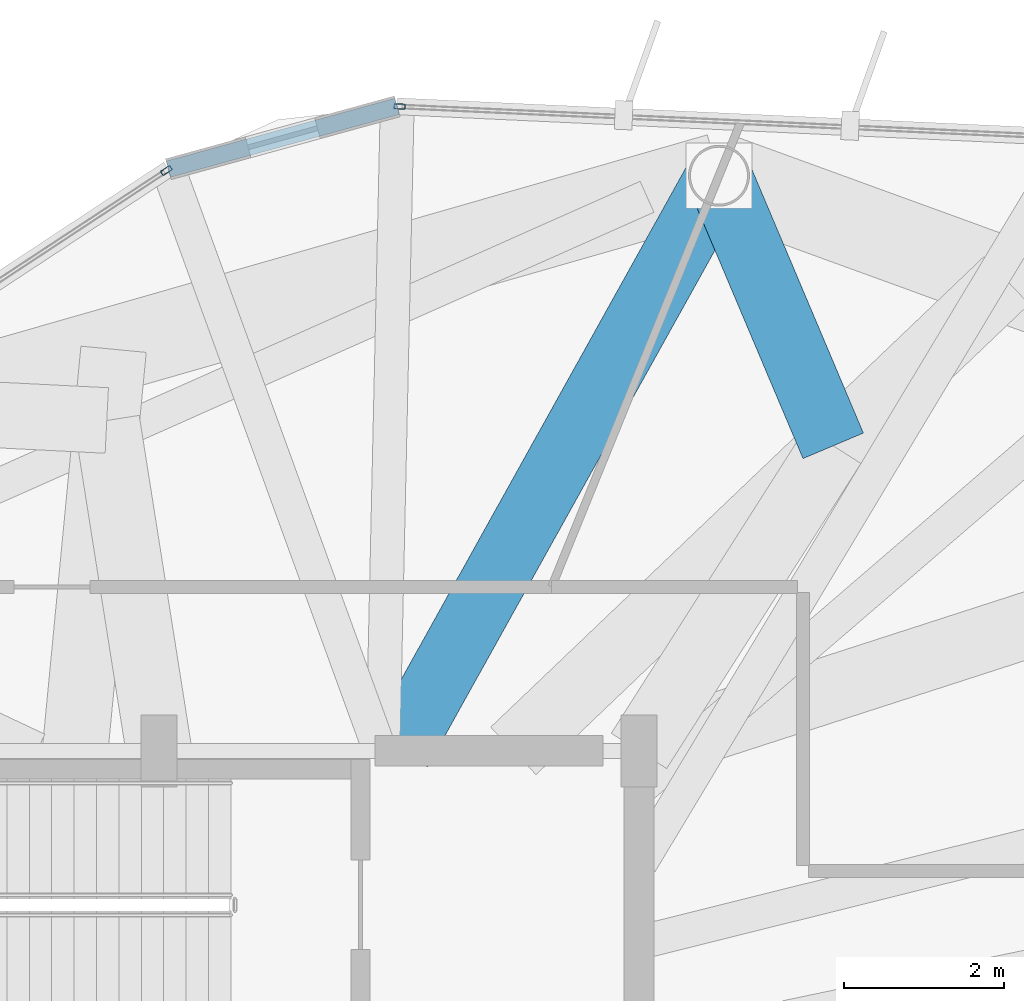
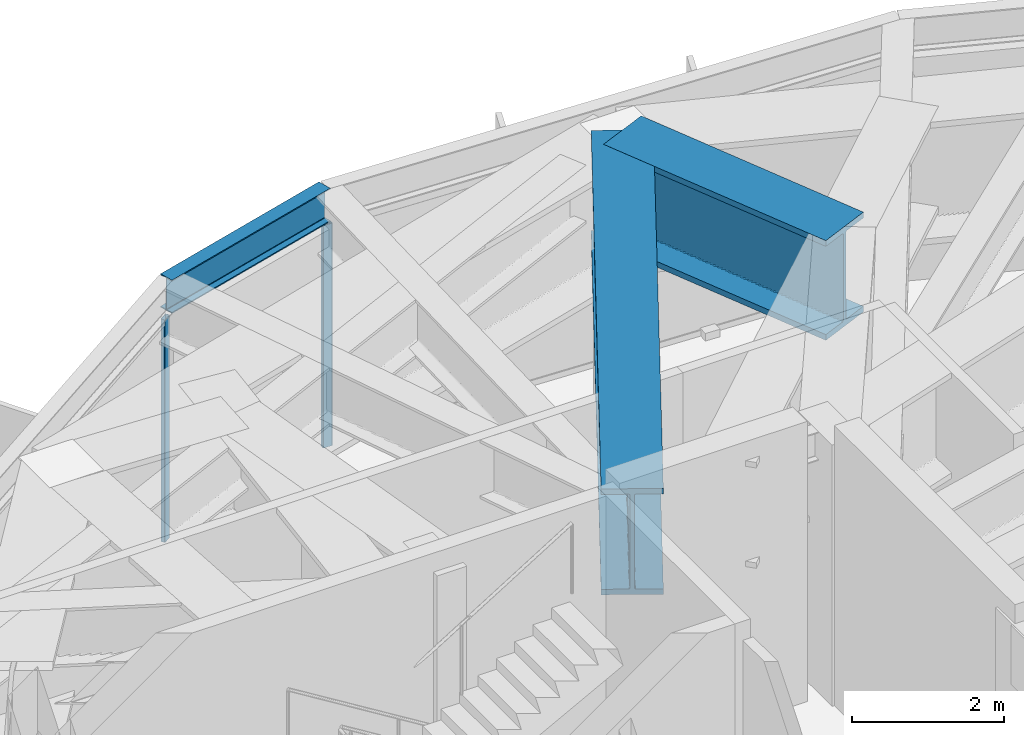
# One storey, part 19 of 27: 3 beams, 2 members, 2 elements without a shape of their own.
"""IFC4 building model written with IfcOpenShell, lengths in metres."""

from ifc_helpers import new_model, si_unit, direction, frame, origin, origin_2d, place, context, subcontext, project, spatial, hollow_rectangle, i_section, extrude, material, layer, layer_set, material_profile, profile_set, type_object, element, aggregate, save


model = new_model("IFC4")

# Units and contexts
model_context = context("Model", 3, precision=1e-05, world=origin(), true_north=direction((0.0, 1.0)))
body_context = subcontext(model_context, "Body", "Model", "MODEL_VIEW")
ifc_project = project(units=[si_unit("LENGTHUNIT", "METRE"), si_unit("AREAUNIT", "SQUARE_METRE"), si_unit("VOLUMEUNIT", "CUBIC_METRE"), si_unit("PLANEANGLEUNIT", "RADIAN"), si_unit("MASSUNIT", "GRAM", prefix="KILO")], contexts=[model_context])

# Site, building, storey
site_placement = place(None, origin())
site = spatial("IfcSite", under=ifc_project, at=site_placement, CompositionType="ELEMENT")
building_placement = place(site_placement, origin())
building = spatial("IfcBuilding", under=site, at=building_placement, Name="Soratama Intermodal Tower", CompositionType="ELEMENT")
storey_placement = place(building_placement, frame((0.0, 0.0, 288.550048828125)))
storey = spatial("IfcBuildingStorey", under=building, at=storey_placement, Name="L73", CompositionType="ELEMENT", Elevation=288.550048828125)

# Beams
ifc_material_1 = material(Name="Structural steel ASTM A992 Grade 50", Category="steel")
ifc_material_profile_1 = material_profile(ifc_material_1, i_section(OverallWidth=0.2099609375, OverallDepth=0.537109375, WebThickness=0.010986328125, FlangeThickness=0.017333984375, FilletRadius=0.012939453125, at=origin_2d()), Name="W21X68")
ifc_profile_set_1 = profile_set([ifc_material_profile_1], Name="Structural steel ASTM A992 Grade 50")
beam_type_1 = type_object("IfcBeamType", Name="BM-SPN-W21X68", PredefinedType="SPANDREL", material=ifc_profile_set_1)
beam_1_placement = place(storey_placement, frame((41.577880859375, 43.056884765625, 3.926513671875), z_axis=(-0.964254832861, -0.264976635392, 0.0), x_axis=(0.264976635392, -0.964254832861, 0.0)))
element("IfcBeam", 1, at=beam_1_placement, inside=storey, type_object=beam_type_1, Name="BS-L73-CRN01", PredefinedType="SPANDREL", context=body_context, shape_type="SweptSolid", body=[
    extrude(i_section(OverallWidth=0.2099609375, OverallDepth=0.537109375, WebThickness=0.010986328125, FlangeThickness=0.017333984375, FilletRadius=0.012939453125, at=origin_2d()), origin(), (0.0, 0.0, 1.0), 2.9658203125),
])
ifc_material_2 = material(Name="Structural steel ASTM A992 Grade 50", Category="steel")
ifc_material_profile_2 = material_profile(ifc_material_2, i_section(OverallWidth=0.820068359375, OverallDepth=1.699951171875, WebThickness=0.053955078125, FlangeThickness=0.087890625, FilletRadius=0.02392578125, at=origin_2d()), Name="PG1580X800")
ifc_profile_set_2 = profile_set([ifc_material_profile_2], Name="Structural steel ASTM A992 Grade 50")
beam_type_2 = type_object("IfcBeamType", Name="BM-ZSTEP-PG1580", PredefinedType="BEAM", material=ifc_profile_set_2)
beam_2_placement = place(storey_placement, frame((41.60009765625, 35.0, 3.344970703125), z_axis=(0.486161842523, 0.873868790423, 0.0), x_axis=(-0.873868790423, 0.486161842523, 0.0)))
element("IfcBeam", 2, at=beam_2_placement, inside=storey, type_object=beam_type_2, Name="BM-L73-RAD-03", PredefinedType="BEAM", context=body_context, shape_type="SweptSolid", body=[
    extrude(i_section(OverallWidth=0.820068359375, OverallDepth=1.699951171875, WebThickness=0.053955078125, FlangeThickness=0.087890625, FilletRadius=0.02392578125, at=origin_2d()), origin(), (0.0, 0.0, 1.0), 8.227783203125),
])
ifc_material_3 = material(Name="Structural steel ASTM A992 Grade 50", Category="steel")
ifc_material_profile_3 = material_profile(ifc_material_3, i_section(OverallWidth=0.820068359375, OverallDepth=1.60205078125, WebThickness=0.055908203125, FlangeThickness=0.092041015625, FilletRadius=0.02392578125, at=origin_2d()), Name="PG1600X650")
ifc_profile_set_3 = profile_set([ifc_material_profile_3], Name="Structural steel ASTM A992 Grade 50")
beam_type_3 = type_object("IfcBeamType", Name="BM-ZSTEP-PG1600", PredefinedType="BEAM", material=ifc_profile_set_3)
beam_3_placement = place(storey_placement, frame((45.60009765625, 42.18994140625, 3.39404296875), z_axis=(0.389470549436, -0.921038919439, 0.0), x_axis=(0.921038919439, 0.389470549436, 0.0)))
element("IfcBeam", 3, at=beam_3_placement, inside=storey, type_object=beam_type_3, Name="BM-L73-ZSTEP-A02", PredefinedType="BEAM", context=body_context, shape_type="SweptSolid", body=[
    extrude(i_section(OverallWidth=0.820068359375, OverallDepth=1.60205078125, WebThickness=0.055908203125, FlangeThickness=0.092041015625, FilletRadius=0.02392578125, at=origin_2d()), origin(), (0.0, 0.0, 1.0), 3.66650390625),
])

# Curtain wall, member
ifc_material_4 = material(Name="Double-glazed aluminium curtain wall", Category="aluminium")
ifc_layer = layer(ifc_material_4, 0.159912109375)
ifc_layer_set = layer_set([ifc_layer], Name="Double-glazed aluminium curtain wall")
curtain_wall_type = type_object("IfcCurtainWallType", Name="CW-SYS-6", PredefinedType="NOTDEFINED", material=ifc_layer_set)
curtain_wall_1_placement = place(storey_placement, origin())
curtain_wall_1 = element("IfcCurtainWall", 4, at=curtain_wall_1_placement, inside=storey, type_object=curtain_wall_type, Name="L73 Faceted Curtain Wall F01", PredefinedType="NOTDEFINED")
ifc_material_5 = material(Name="Anodised aluminium AA 6063-T6", Category="aluminium")
ifc_material_profile_4 = material_profile(ifc_material_5, hollow_rectangle(XDim=0.06494140625, YDim=0.139892578125, WallThickness=0.0048828125, InnerFilletRadius=0.0048828125, OuterFilletRadius=0.010009765625, at=origin_2d()), Name="CWM140X65X5")
ifc_profile_set_4 = profile_set([ifc_material_profile_4], Name="Anodised aluminium AA 6063-T6")
member_type = type_object("IfcMemberType", Name="MT-CWM-6", PredefinedType="MULLION", material=ifc_profile_set_4)
member_1_placement = place(storey_placement, frame((41.608154296875, 43.05517578125, 0.0), z_axis=(0.0, 0.0, 1.0), x_axis=(-0.04606033486, -0.998938659555, 0.0)))
member_1 = element("IfcMember", 5, at=member_1_placement, type_object=member_type, Name="CW-6 mullion 2", PredefinedType="MULLION", context=body_context, shape_type="SweptSolid", body=[
    extrude(hollow_rectangle(XDim=0.06494140625, YDim=0.139892578125, WallThickness=0.0048828125, InnerFilletRadius=0.0048828125, OuterFilletRadius=0.010009765625, at=origin_2d()), origin(), (0.0, 0.0, 1.0), 3.573974609375),
])
aggregate(curtain_wall_1, [member_1])

curtain_wall_2_placement = place(storey_placement, origin())
curtain_wall_2 = element("IfcCurtainWall", 6, at=curtain_wall_2_placement, inside=storey, type_object=curtain_wall_type, Name="L73 Faceted Curtain Wall F02", PredefinedType="NOTDEFINED")
member_2_placement = place(storey_placement, frame((38.692626953125, 42.25439453125, 0.0), z_axis=(0.0, 0.0, 1.0), x_axis=(0.549890891123, -0.835236498161, 0.0)))
member_2 = element("IfcMember", 7, at=member_2_placement, type_object=member_type, Name="CW-6 mullion 1", PredefinedType="MULLION", context=body_context, shape_type="SweptSolid", body=[
    extrude(hollow_rectangle(XDim=0.06494140625, YDim=0.139892578125, WallThickness=0.0048828125, InnerFilletRadius=0.0048828125, OuterFilletRadius=0.010009765625, at=origin_2d()), origin(), (0.0, 0.0, 1.0), 3.573974609375),
])
aggregate(curtain_wall_2, [member_2])

save(model, "model.ifc")
